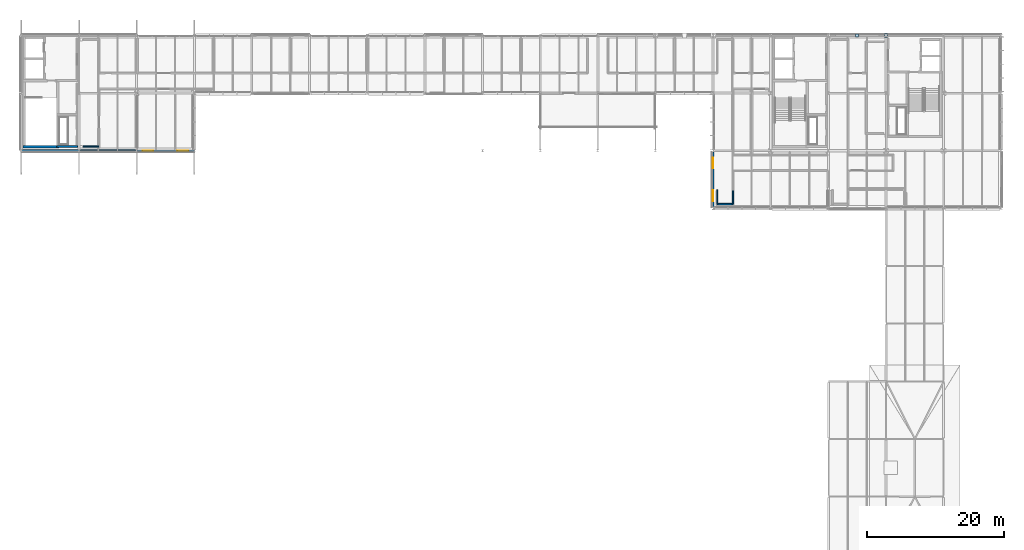
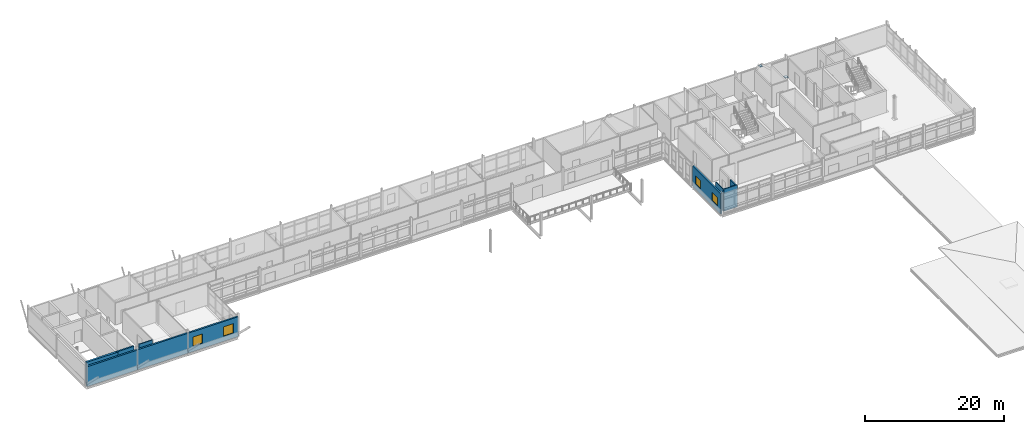
# One storey, part 45 of 57: 10 walls, 4 windows, 2 plates, 4 openings.
"""IFC4 building model written with IfcOpenShell, lengths in metres."""

from ifc_helpers import new_model, si_unit, direction, frame, frame_2d, origin, origin_2d, place, context, subcontext, project, spatial, rectangle, extrude, material, layer, layer_set, type_object, element, fill, save


model = new_model("IFC4")

# Units and contexts
model_context = context("Model", 3, precision=1e-05, world=origin(), true_north=direction((0.0, 1.0)))
body_context = subcontext(model_context, "Body", "Model", "MODEL_VIEW")
ifc_project = project(units=[si_unit("LENGTHUNIT", "METRE"), si_unit("AREAUNIT", "SQUARE_METRE"), si_unit("VOLUMEUNIT", "CUBIC_METRE"), si_unit("PLANEANGLEUNIT", "RADIAN"), si_unit("MASSUNIT", "GRAM", prefix="KILO")], contexts=[model_context])

# Site, building, storey
site_placement = place(None, origin())
site = spatial("IfcSite", under=ifc_project, at=site_placement, CompositionType="ELEMENT")
building_placement = place(site_placement, origin())
building = spatial("IfcBuilding", under=site, at=building_placement, Name="Mersafa Astral City Hall", CompositionType="ELEMENT")
storey_placement = place(building_placement, frame((0.0, 0.0, 26.10009765625)))
storey = spatial("IfcBuildingStorey", under=building, at=storey_placement, Name="L06", CompositionType="ELEMENT", Elevation=26.10009765625)

# Plates
ifc_material_1 = material(Name="Steel S355", Category="steel")
ifc_layer_1 = layer(ifc_material_1, 0.01708984375, Name="Steel S355")
ifc_layer_set_1 = layer_set([ifc_layer_1], Name="Steel S355 — STR-PLT-NP-4")
plate_type_1 = type_object("IfcPlateType", Name="STR-PLT-NP-4", PredefinedType="SHEET", material=ifc_layer_set_1)
plate_1_placement = place(storey_placement, frame((163.800048828125, 126.0, 3.516357421875), z_axis=(0.0, 0.0, 1.0), x_axis=(1.0, 0.0, 0.0)))
element("IfcPlate", 1, at=plate_1_placement, inside=storey, type_object=plate_type_1, Name="L06 Structural steel brace gusset plate NP-4", PredefinedType="SHEET", context=body_context, shape_type="SweptSolid", body=[
    extrude(rectangle(XDim=0.43505859375, YDim=0.489990234375, at=origin_2d()), origin(), (0.0, 0.0, 1.0), 0.01708984375),
])
ifc_layer_2 = layer(ifc_material_1, 0.01904296875, Name="Steel S355")
ifc_layer_set_2 = layer_set([ifc_layer_2], Name="Steel S355 — STR-PLT-NP-6")
plate_type_2 = type_object("IfcPlateType", Name="STR-PLT-NP-6", PredefinedType="SHEET", material=ifc_layer_set_2)
plate_2_placement = place(storey_placement, frame((168.001953125, 126.0, 0.1103515625), z_axis=(0.0, 0.0, 1.0), x_axis=(1.0, 0.0, 0.0)))
element("IfcPlate", 2, at=plate_2_placement, inside=storey, type_object=plate_type_2, Name="L06 Structural steel brace gusset plate NP-6", PredefinedType="SHEET", context=body_context, shape_type="SweptSolid", body=[
    extrude(rectangle(XDim=0.485107421875, YDim=0.550048828125, at=origin_2d()), origin(), (0.0, 0.0, 1.0), 0.01904296875),
])

# Wall, openings, windows
ifc_material_2 = material(Name="Precast concrete C40/50 insulated limestone wall", Category="masonry")
ifc_layer_3 = layer(ifc_material_2, 0.264892578125, Name="Precast concrete C40/50 insulated limestone wall")
ifc_layer_set_3 = layer_set([ifc_layer_3], Name="Precast concrete C40/50 insulated limestone wall — ENV-WAL-EXT-265")
wall_type_1 = type_object("IfcWallType", Name="ENV-WAL-EXT-265", PredefinedType="STANDARD", material=ifc_layer_set_3)
wall_1_placement = place(storey_placement, frame((142.800048828125, 109.02392578125, 0.0), z_axis=(0.0, 0.0, 1.0), x_axis=(0.0, -1.0, 0.0)))
wall_1 = element("IfcWall", 3, at=wall_1_placement, inside=storey, type_object=wall_type_1, Name="L06 Limestone-clad exterior wall 363", PredefinedType="STANDARD", context=body_context, shape_type="SweptSolid", body=[
    extrude(rectangle(XDim=8.057861328125, YDim=0.264892578125, at=frame_2d((4.02880859375, 0.0))), origin(), (0.0, 0.0, 1.0), 3.5869140625),
])
opening_1_placement = place(wall_1_placement, frame((0.85009765625, 0.0, 0.89990234375)))
opening_1 = element("IfcOpeningElement", 4, at=opening_1_placement, cuts=wall_1, Name="Opening W-26", PredefinedType="OPENING", context=body_context, shape_type="SweptSolid", body=[
    extrude(rectangle(XDim=1.52001953125, YDim=1.449951171875, at=frame_2d((0.760009765625, 0.72509765625))), frame((0.0, 0.142333984375, 0.0), z_axis=(0.0, -1.0, 0.0), x_axis=(1.0, 0.0, 0.0)), (0.0, 0.0, 1.0), 0.284912109375),
])
opening_2_placement = place(wall_1_placement, frame((5.587890625, 0.0, 0.89990234375)))
opening_2 = element("IfcOpeningElement", 5, at=opening_2_placement, cuts=wall_1, Name="Opening W-27", PredefinedType="OPENING", context=body_context, shape_type="SweptSolid", body=[
    extrude(rectangle(XDim=1.6201171875, YDim=1.449951171875, at=frame_2d((0.81005859375, 0.72509765625))), frame((0.0, 0.142333984375, 0.0), z_axis=(0.0, -1.0, 0.0), x_axis=(1.0, 0.0, 0.0)), (0.0, 0.0, 1.0), 0.284912109375),
])
ifc_material_3 = material(Name="Solar control low-e double glazing in bronze frame", Category="glass")
window_type_1 = type_object("IfcWindowType", Name="ENV-WIN-W-26", PartitioningType="SINGLE_PANEL", PredefinedType="WINDOW", material=ifc_material_3)
window_1_placement = place(opening_1_placement, origin())
window_1 = element("IfcWindow", 6, at=window_1_placement, inside=storey, type_object=window_type_1, Name="L06 Solar punched window 363-L", OverallHeight=1.449951171875, OverallWidth=1.52001953125, PartitioningType="SINGLE_PANEL", PredefinedType="WINDOW", context=body_context, shape_type="SweptSolid", body=[
    extrude(rectangle(XDim=1.52001953125, YDim=1.449951171875, at=frame_2d((0.760009765625, 0.72509765625))), frame((0.0, 0.030029296875, 0.0), z_axis=(0.0, -1.0, 0.0), x_axis=(1.0, 0.0, 0.0)), (0.0, 0.0, 1.0), 0.06005859375),
])
fill(opening_1, window_1)
window_type_2 = type_object("IfcWindowType", Name="ENV-WIN-W-27", PartitioningType="SINGLE_PANEL", PredefinedType="WINDOW", material=ifc_material_3)
window_2_placement = place(opening_2_placement, origin())
window_2 = element("IfcWindow", 7, at=window_2_placement, inside=storey, type_object=window_type_2, Name="L06 Solar punched window 363-R", OverallHeight=1.449951171875, OverallWidth=1.6201171875, PartitioningType="SINGLE_PANEL", PredefinedType="WINDOW", context=body_context, shape_type="SweptSolid", body=[
    extrude(rectangle(XDim=1.6201171875, YDim=1.449951171875, at=frame_2d((0.81005859375, 0.72509765625))), frame((0.0, 0.030029296875, 0.0), z_axis=(0.0, -1.0, 0.0), x_axis=(1.0, 0.0, 0.0)), (0.0, 0.0, 1.0), 0.06005859375),
])
fill(opening_2, window_2)

wall_2_placement = place(storey_placement, frame((58.80810546875, 109.199951171875, 0.0), z_axis=(0.0, 0.0, 1.0), x_axis=(1.0, 0.0, 0.0)))
wall_2 = element("IfcWall", 8, at=wall_2_placement, inside=storey, type_object=wall_type_1, Name="L06 Limestone-clad exterior wall 381", PredefinedType="STANDARD", context=body_context, shape_type="SweptSolid", body=[
    extrude(rectangle(XDim=8.3837890625, YDim=0.264892578125, at=frame_2d((4.19189453125, 0.0))), origin(), (0.0, 0.0, 1.0), 3.496826171875),
])
opening_3_placement = place(wall_2_placement, frame((0.85009765625, 0.0, 0.89990234375)))
opening_3 = element("IfcOpeningElement", 9, at=opening_3_placement, cuts=wall_2, Name="Opening W-36", PredefinedType="OPENING", context=body_context, shape_type="SweptSolid", body=[
    extrude(rectangle(XDim=1.52001953125, YDim=1.64990234375, at=frame_2d((0.760009765625, 0.824951171875))), frame((0.0, 0.142333984375, 0.0), z_axis=(0.0, -1.0, 0.0), x_axis=(1.0, 0.0, 0.0)), (0.0, 0.0, 1.0), 0.284912109375),
])
opening_4_placement = place(wall_2_placement, frame((5.9140625, 0.0, 0.89990234375)))
opening_4 = element("IfcOpeningElement", 10, at=opening_4_placement, cuts=wall_2, Name="Opening W-37", PredefinedType="OPENING", context=body_context, shape_type="SweptSolid", body=[
    extrude(rectangle(XDim=1.6201171875, YDim=1.64990234375, at=frame_2d((0.81005859375, 0.824951171875))), frame((0.0, 0.142333984375, 0.0), z_axis=(0.0, -1.0, 0.0), x_axis=(1.0, 0.0, 0.0)), (0.0, 0.0, 1.0), 0.284912109375),
])
window_type_3 = type_object("IfcWindowType", Name="ENV-WIN-W-36", PartitioningType="SINGLE_PANEL", PredefinedType="WINDOW", material=ifc_material_3)
window_3_placement = place(opening_3_placement, origin())
window_3 = element("IfcWindow", 11, at=window_3_placement, inside=storey, type_object=window_type_3, Name="L06 Solar punched window 381-L", OverallHeight=1.64990234375, OverallWidth=1.52001953125, PartitioningType="SINGLE_PANEL", PredefinedType="WINDOW", context=body_context, shape_type="SweptSolid", body=[
    extrude(rectangle(XDim=1.52001953125, YDim=1.64990234375, at=frame_2d((0.760009765625, 0.824951171875))), frame((0.0, 0.030029296875, 0.0), z_axis=(0.0, -1.0, 0.0), x_axis=(1.0, 0.0, 0.0)), (0.0, 0.0, 1.0), 0.06005859375),
])
fill(opening_3, window_3)
window_type_4 = type_object("IfcWindowType", Name="ENV-WIN-W-37", PartitioningType="SINGLE_PANEL", PredefinedType="WINDOW", material=ifc_material_3)
window_4_placement = place(opening_4_placement, origin())
window_4 = element("IfcWindow", 12, at=window_4_placement, inside=storey, type_object=window_type_4, Name="L06 Solar punched window 381-R", OverallHeight=1.64990234375, OverallWidth=1.6201171875, PartitioningType="SINGLE_PANEL", PredefinedType="WINDOW", context=body_context, shape_type="SweptSolid", body=[
    extrude(rectangle(XDim=1.6201171875, YDim=1.64990234375, at=frame_2d((0.81005859375, 0.824951171875))), frame((0.0, 0.030029296875, 0.0), z_axis=(0.0, -1.0, 0.0), x_axis=(1.0, 0.0, 0.0)), (0.0, 0.0, 1.0), 0.06005859375),
])
fill(opening_4, window_4)

# Walls
ifc_layer_4 = layer(ifc_material_2, 0.280029296875, Name="Precast concrete C40/50 insulated limestone wall")
ifc_layer_set_4 = layer_set([ifc_layer_4], Name="Precast concrete C40/50 insulated limestone wall — ENV-WAL-EXT-280")
wall_type_2 = type_object("IfcWallType", Name="ENV-WAL-EXT-280", PredefinedType="STANDARD", material=ifc_layer_set_4)
wall_3_placement = place(storey_placement, frame((50.407958984375, 109.199951171875, 0.0), z_axis=(0.0, 0.0, 1.0), x_axis=(1.0, 0.0, 0.0)))
element("IfcWall", 13, at=wall_3_placement, inside=storey, type_object=wall_type_2, Name="L06 Limestone-clad exterior wall 380", PredefinedType="STANDARD", context=body_context, shape_type="SweptSolid", body=[
    extrude(rectangle(XDim=8.384033203125, YDim=0.280029296875, at=frame_2d((4.19189453125, 0.0))), origin(), (0.0, 0.0, 1.0), 3.52685546875),
])
ifc_layer_5 = layer(ifc_material_2, 0.294921875, Name="Precast concrete C40/50 insulated limestone wall")
ifc_layer_set_5 = layer_set([ifc_layer_5], Name="Precast concrete C40/50 insulated limestone wall — ENV-WAL-EXT-295")
wall_type_3 = type_object("IfcWallType", Name="ENV-WAL-EXT-295", PredefinedType="STANDARD", material=ifc_layer_set_5)
wall_4_placement = place(storey_placement, frame((42.008056640625, 109.199951171875, 0.0), z_axis=(0.0, 0.0, 1.0), x_axis=(1.0, 0.0, 0.0)))
element("IfcWall", 14, at=wall_4_placement, inside=storey, type_object=wall_type_3, Name="L06 Limestone-clad exterior wall 379", PredefinedType="STANDARD", context=body_context, shape_type="SweptSolid", body=[
    extrude(rectangle(XDim=8.384033203125, YDim=0.294921875, at=frame_2d((4.19189453125, 0.0))), origin(), (0.0, 0.0, 1.0), 3.496826171875),
])
ifc_material_4 = material(Name="Concrete C40/50", Category="concrete")
ifc_layer_6 = layer(ifc_material_4, 0.260009765625, Name="Concrete C40/50")
ifc_layer_set_6 = layer_set([ifc_layer_6], Name="Concrete C40/50 — INT-WAL-CORE-260")
wall_type_4 = type_object("IfcWallType", Name="INT-WAL-CORE-260", PredefinedType="SHEAR", material=ifc_layer_set_6)
wall_5_placement = place(storey_placement, frame((47.1650390625, 109.820068359375, 0.0), z_axis=(0.0, 0.0, 1.0), x_axis=(1.0, 0.0, 0.0)))
element("IfcWall", 15, at=wall_5_placement, inside=storey, type_object=wall_type_4, Name="L06 Core K3 riser south wall", PredefinedType="SHEAR", context=body_context, shape_type="SweptSolid", body=[
    extrude(rectangle(XDim=3.034912109375, YDim=0.260009765625, at=frame_2d((1.517578125, 0.0))), origin(), (0.0, 0.0, 1.0), 3.849853515625),
])
ifc_layer_7 = layer(ifc_material_4, 0.340087890625, Name="Concrete C40/50")
ifc_layer_set_7 = layer_set([ifc_layer_7], Name="Concrete C40/50 — INT-WAL-CORE-340")
wall_type_5 = type_object("IfcWallType", Name="INT-WAL-CORE-340", PredefinedType="SHEAR", material=ifc_layer_set_7)
wall_6_placement = place(storey_placement, frame((42.235107421875, 109.77490234375, 0.0), z_axis=(0.0, 0.0, 1.0), x_axis=(1.0, 0.0, 0.0)))
element("IfcWall", 16, at=wall_6_placement, inside=storey, type_object=wall_type_5, Name="L06 Core K3 stair south shear wall", PredefinedType="SHEAR", context=body_context, shape_type="SweptSolid", body=[
    extrude(rectangle(XDim=5.25, YDim=0.340087890625, at=frame_2d((2.625, 0.0))), origin(), (0.0, 0.0, 1.0), 3.849853515625),
])
ifc_material_5 = material(Name="Fire-rated gypsum stud partition", Category="gypsum")
ifc_layer_8 = layer(ifc_material_5, 0.1650390625, Name="Fire-rated gypsum stud partition")
ifc_layer_set_8 = layer_set([ifc_layer_8], Name="Fire-rated gypsum stud partition — INT-WAL-PART-EI60-165")
wall_type_6 = type_object("IfcWallType", Name="INT-WAL-PART-EI60-165", PredefinedType="STANDARD", material=ifc_layer_set_8)
wall_7_placement = place(storey_placement, frame((143.419921875, 103.510009765625, -0.004150390625), z_axis=(0.0, 0.0, 1.0), x_axis=(0.0, -1.0, 0.0)))
element("IfcWall", 17, at=wall_7_placement, inside=storey, type_object=wall_type_6, Name="L06 Interior partition wall 851", PredefinedType="STANDARD", context=body_context, shape_type="SweptSolid", body=[
    extrude(rectangle(XDim=2.090087890625, YDim=0.1650390625, at=frame_2d((1.044921875, 0.0))), origin(), (0.0, 0.0, 1.0), 3.85400390625),
])
ifc_material_6 = material(Name="Acoustic twin-stud gypsum partition", Category="gypsum")
ifc_layer_9 = layer(ifc_material_6, 0.179931640625, Name="Acoustic twin-stud gypsum partition")
ifc_layer_set_9 = layer_set([ifc_layer_9], Name="Acoustic twin-stud gypsum partition — INT-WAL-PART-EI60-180")
wall_type_7 = type_object("IfcWallType", Name="INT-WAL-PART-EI60-180", PredefinedType="STANDARD", material=ifc_layer_set_9)
wall_8_placement = place(storey_placement, frame((51.02001953125, 109.820068359375, -0.004150390625), z_axis=(0.0, 0.0, 1.0), x_axis=(1.0, 0.0, 0.0)))
element("IfcWall", 18, at=wall_8_placement, inside=storey, type_object=wall_type_7, Name="L06 Interior partition wall 830", PredefinedType="STANDARD", context=body_context, shape_type="SweptSolid", body=[
    extrude(rectangle(XDim=2.280029296875, YDim=0.179931640625, at=frame_2d((1.14013671875, 0.0))), origin(), (0.0, 0.0, 1.0), 3.85400390625),
])
ifc_layer_10 = layer(ifc_material_6, 0.195068359375, Name="Acoustic twin-stud gypsum partition")
ifc_layer_set_10 = layer_set([ifc_layer_10], Name="Acoustic twin-stud gypsum partition — INT-WAL-PART-EI60-195")
wall_type_8 = type_object("IfcWallType", Name="INT-WAL-PART-EI60-195", PredefinedType="STANDARD", material=ifc_layer_set_10)
wall_9_placement = place(storey_placement, frame((145.699951171875, 101.419921875, -0.004150390625), z_axis=(0.0, 0.0, 1.0), x_axis=(0.0, 1.0, 0.0)))
element("IfcWall", 19, at=wall_9_placement, inside=storey, type_object=wall_type_8, Name="L06 Interior partition wall 845", PredefinedType="STANDARD", context=body_context, shape_type="SweptSolid", body=[
    extrude(rectangle(XDim=1.920166015625, YDim=0.195068359375, at=frame_2d((0.9599609375, 0.0))), origin(), (0.0, 0.0, 1.0), 3.591064453125),
])
ifc_material_7 = material(Name="Autoclaved aerated concrete blockwork plastered", Category="masonry")
ifc_layer_11 = layer(ifc_material_7, 0.2099609375, Name="Autoclaved aerated concrete blockwork plastered")
ifc_layer_set_11 = layer_set([ifc_layer_11], Name="Autoclaved aerated concrete blockwork plastered — INT-WAL-PART-EI60-210")
wall_type_9 = type_object("IfcWallType", Name="INT-WAL-PART-EI60-210", PredefinedType="STANDARD", material=ifc_layer_set_11)
wall_10_placement = place(storey_placement, frame((143.419921875, 101.419921875, -0.004150390625), z_axis=(0.0, 0.0, 1.0), x_axis=(1.0, 0.0, 0.0)))
element("IfcWall", 20, at=wall_10_placement, inside=storey, type_object=wall_type_9, Name="L06 Interior partition wall 852", PredefinedType="STANDARD", context=body_context, shape_type="SweptSolid", body=[
    extrude(rectangle(XDim=2.280029296875, YDim=0.2099609375, at=frame_2d((1.14013671875, 0.0))), origin(), (0.0, 0.0, 1.0), 3.85400390625),
])

save(model, "model.ifc")
